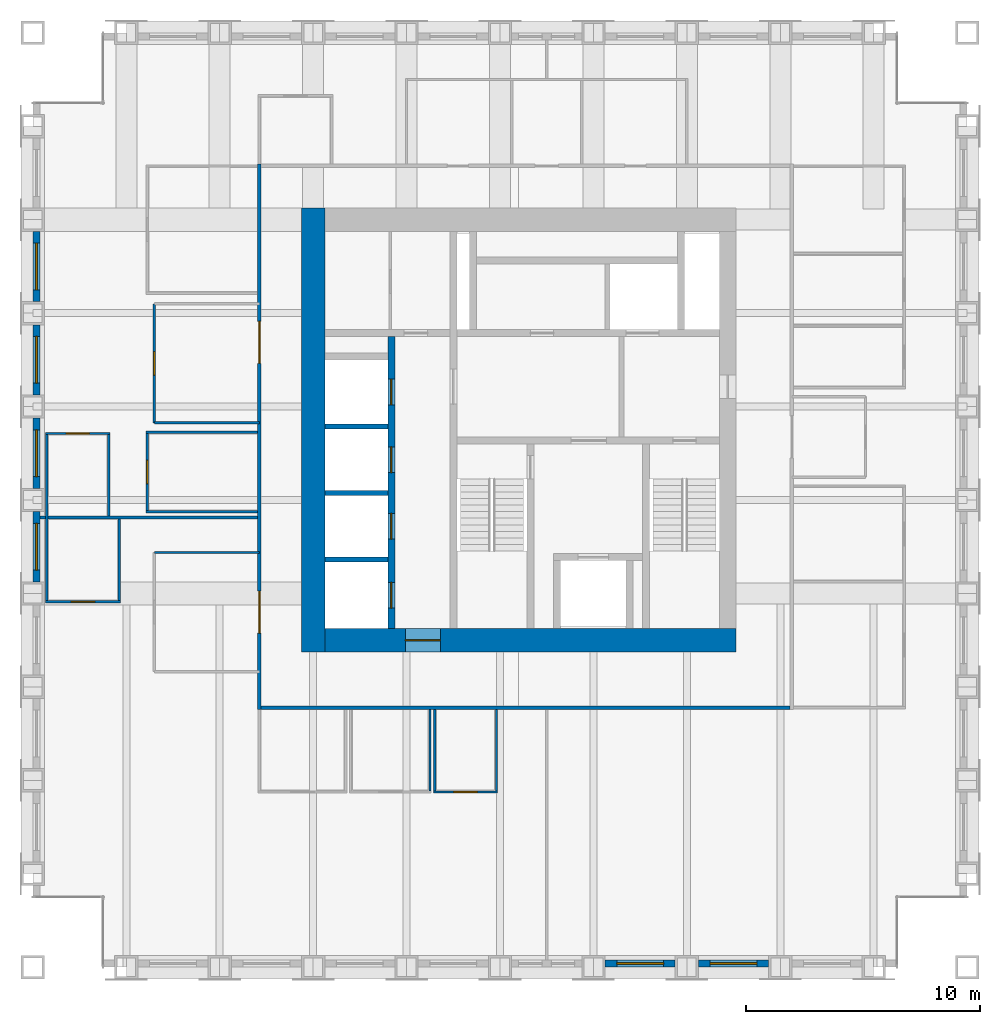
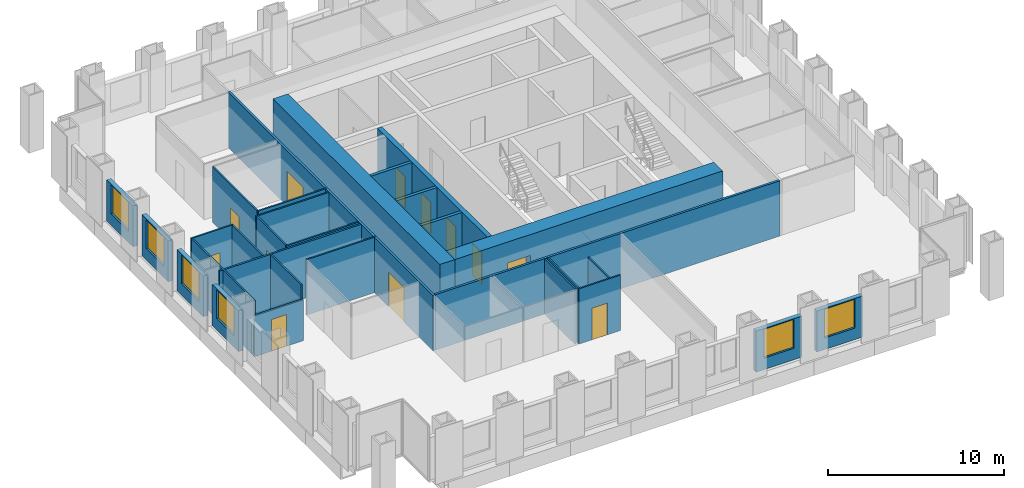
# One storey, part 8 of 13: 30 walls, 12 doors, 6 windows, 18 openings.
"""IFC4 building model written with IfcOpenShell, lengths in metres."""

from ifc_helpers import new_model, si_unit, direction, frame, frame_2d, origin, place, context, subcontext, project, spatial, rectangle, extrude, material, layer, layer_set, type_object, element, fill, save


model = new_model("IFC4")

# Units and contexts
model_context = context("Model", 3, precision=1e-05, world=origin(), true_north=direction((0.0, 1.0)))
body_context = subcontext(model_context, "Body", "Model", "MODEL_VIEW")
ifc_project = project(units=[si_unit("LENGTHUNIT", "METRE"), si_unit("AREAUNIT", "SQUARE_METRE"), si_unit("VOLUMEUNIT", "CUBIC_METRE"), si_unit("PLANEANGLEUNIT", "RADIAN"), si_unit("MASSUNIT", "GRAM", prefix="KILO")], contexts=[model_context])

# Site, building, storey
site_placement = place(None, origin())
site = spatial("IfcSite", under=ifc_project, at=site_placement, CompositionType="ELEMENT")
building_placement = place(site_placement, origin())
building = spatial("IfcBuilding", under=site, at=building_placement, Name="Rimbunsela Tower", CompositionType="ELEMENT")
storey_placement = place(building_placement, frame((0.0, 0.0, 294.199951171875)))
storey = spatial("IfcBuildingStorey", under=building, at=storey_placement, Name="L71", CompositionType="ELEMENT", Elevation=294.199951171875)

# Wall, openings, doors
ifc_material_1 = material(Name="Concrete fc' 80 MPa", Category="concrete")
ifc_layer_1 = layer(ifc_material_1, 0.300048828125)
ifc_layer_set_1 = layer_set([ifc_layer_1], Name="Core internal wall 300")
wall_type_1 = type_object("IfcWallType", Name="Core internal wall 300", PredefinedType="SHEAR", material=ifc_layer_set_1)
wall_1_placement = place(storey_placement, frame((21.35009765625, 18.5, -0.14990234375), z_axis=(0.0, 0.0, 1.0), x_axis=(0.0, 1.0, 0.0)))
wall_1 = element("IfcWall", 1, at=wall_1_placement, inside=storey, type_object=wall_type_1, Name="Lift shaft front west", PredefinedType="SHEAR", context=body_context, shape_type="SweptSolid", body=[
    extrude(rectangle(XDim=12.5, YDim=0.300048828125, at=frame_2d((6.25, 0.0))), origin(), (0.0, 0.0, 1.0), 4.0),
])
opening_1_placement = place(wall_1_placement, frame((0.875, 0.0, 0.14990234375)))
opening_1 = element("IfcOpeningElement", 2, at=opening_1_placement, cuts=wall_1, Name="Opening LD1", PredefinedType="OPENING", context=body_context, shape_type="SweptSolid", body=[
    extrude(rectangle(XDim=1.10009765625, YDim=2.199951171875, at=frame_2d((0.550048828125, 1.10009765625))), frame((0.0, 0.159912109375, 0.0), z_axis=(0.0, -1.0, 0.0), x_axis=(1.0, 0.0, 0.0)), (0.0, 0.0, 1.0), 0.320068359375),
])
opening_2_placement = place(wall_1_placement, frame((3.824951171875, 0.0, 0.14990234375)))
opening_2 = element("IfcOpeningElement", 3, at=opening_2_placement, cuts=wall_1, Name="Opening LD1", PredefinedType="OPENING", context=body_context, shape_type="SweptSolid", body=[
    extrude(rectangle(XDim=1.10009765625, YDim=2.199951171875, at=frame_2d((0.550048828125, 1.10009765625))), frame((0.0, 0.159912109375, 0.0), z_axis=(0.0, -1.0, 0.0), x_axis=(1.0, 0.0, 0.0)), (0.0, 0.0, 1.0), 0.320068359375),
])
opening_3_placement = place(wall_1_placement, frame((6.675048828125, 0.0, 0.14990234375)))
opening_3 = element("IfcOpeningElement", 4, at=opening_3_placement, cuts=wall_1, Name="Opening LD1", PredefinedType="OPENING", context=body_context, shape_type="SweptSolid", body=[
    extrude(rectangle(XDim=1.10009765625, YDim=2.199951171875, at=frame_2d((0.550048828125, 1.10009765625))), frame((0.0, 0.159912109375, 0.0), z_axis=(0.0, -1.0, 0.0), x_axis=(1.0, 0.0, 0.0)), (0.0, 0.0, 1.0), 0.320068359375),
])
opening_4_placement = place(wall_1_placement, frame((9.574951171875, 0.0, 0.14990234375)))
opening_4 = element("IfcOpeningElement", 5, at=opening_4_placement, cuts=wall_1, Name="Opening LD1", PredefinedType="OPENING", context=body_context, shape_type="SweptSolid", body=[
    extrude(rectangle(XDim=1.10009765625, YDim=2.199951171875, at=frame_2d((0.550048828125, 1.10009765625))), frame((0.0, 0.159912109375, 0.0), z_axis=(0.0, -1.0, 0.0), x_axis=(1.0, 0.0, 0.0)), (0.0, 0.0, 1.0), 0.320068359375),
])
ifc_material_2 = material(Name="Steel door, fire rated", Category="steel")
door_type_1 = type_object("IfcDoorType", Name="Lift landing door 1100", OperationType="DOUBLE_DOOR_SLIDING", PredefinedType="DOOR", material=ifc_material_2)
door_1_placement = place(opening_1_placement, origin())
door_1 = element("IfcDoor", 6, at=door_1_placement, inside=storey, type_object=door_type_1, Name="Lift landing door TL1", OperationType="DOUBLE_DOOR_SLIDING", OverallHeight=2.199951171875, OverallWidth=1.10009765625, PredefinedType="DOOR", context=body_context, shape_type="SweptSolid", body=[
    extrude(rectangle(XDim=1.10009765625, YDim=2.199951171875, at=frame_2d((0.550048828125, 1.10009765625))), frame((0.0, 0.02490234375, 0.0), z_axis=(0.0, -1.0, 0.0), x_axis=(1.0, 0.0, 0.0)), (0.0, 0.0, 1.0), 0.050048828125),
])
fill(opening_1, door_1)
door_2_placement = place(opening_2_placement, origin())
door_2 = element("IfcDoor", 7, at=door_2_placement, inside=storey, type_object=door_type_1, Name="Lift landing door TL2", OperationType="DOUBLE_DOOR_SLIDING", OverallHeight=2.199951171875, OverallWidth=1.10009765625, PredefinedType="DOOR", context=body_context, shape_type="SweptSolid", body=[
    extrude(rectangle(XDim=1.10009765625, YDim=2.199951171875, at=frame_2d((0.550048828125, 1.10009765625))), frame((0.0, 0.02490234375, 0.0), z_axis=(0.0, -1.0, 0.0), x_axis=(1.0, 0.0, 0.0)), (0.0, 0.0, 1.0), 0.050048828125),
])
fill(opening_2, door_2)
door_3_placement = place(opening_3_placement, origin())
door_3 = element("IfcDoor", 8, at=door_3_placement, inside=storey, type_object=door_type_1, Name="Lift landing door TL3", OperationType="DOUBLE_DOOR_SLIDING", OverallHeight=2.199951171875, OverallWidth=1.10009765625, PredefinedType="DOOR", context=body_context, shape_type="SweptSolid", body=[
    extrude(rectangle(XDim=1.10009765625, YDim=2.199951171875, at=frame_2d((0.550048828125, 1.10009765625))), frame((0.0, 0.02490234375, 0.0), z_axis=(0.0, -1.0, 0.0), x_axis=(1.0, 0.0, 0.0)), (0.0, 0.0, 1.0), 0.050048828125),
])
fill(opening_3, door_3)
door_4_placement = place(opening_4_placement, origin())
door_4 = element("IfcDoor", 9, at=door_4_placement, inside=storey, type_object=door_type_1, Name="Lift landing door TL4", OperationType="DOUBLE_DOOR_SLIDING", OverallHeight=2.199951171875, OverallWidth=1.10009765625, PredefinedType="DOOR", context=body_context, shape_type="SweptSolid", body=[
    extrude(rectangle(XDim=1.10009765625, YDim=2.199951171875, at=frame_2d((0.550048828125, 1.10009765625))), frame((0.0, 0.02490234375, 0.0), z_axis=(0.0, -1.0, 0.0), x_axis=(1.0, 0.0, 0.0)), (0.0, 0.0, 1.0), 0.050048828125),
])
fill(opening_4, door_4)

# Wall
ifc_material_3 = material(Name="Concrete fc' 80 MPa", Category="concrete")
ifc_layer_2 = layer(ifc_material_3, 1.0)
ifc_layer_set_2 = layer_set([ifc_layer_2], Name="Core wall 1000")
wall_type_2 = type_object("IfcWallType", Name="Core wall 1000", PredefinedType="SHEAR", material=ifc_layer_set_2)
wall_2_placement = place(storey_placement, frame((18.0, 17.5, -0.14990234375), z_axis=(0.0, 0.0, 1.0), x_axis=(0.0, 1.0, 0.0)))
element("IfcWall", 10, at=wall_2_placement, inside=storey, type_object=wall_type_2, Name="Core wall west", PredefinedType="SHEAR", context=body_context, shape_type="SweptSolid", body=[
    extrude(rectangle(XDim=19.0, YDim=1.0, at=frame_2d((9.5, 0.0))), origin(), (0.0, 0.0, 1.0), 4.0),
])

# Wall, opening, door
wall_3_placement = place(storey_placement, frame((18.5, 18.0, -0.14990234375), z_axis=(0.0, 0.0, 1.0), x_axis=(1.0, 0.0, 0.0)))
wall_3 = element("IfcWall", 11, at=wall_3_placement, inside=storey, type_object=wall_type_2, Name="Core wall south", PredefinedType="SHEAR", context=body_context, shape_type="SweptSolid", body=[
    extrude(rectangle(XDim=17.60009765625, YDim=1.0, at=frame_2d((8.800048828125, 0.0))), origin(), (0.0, 0.0, 1.0), 4.0),
])
opening_5_placement = place(wall_3_placement, frame((3.449951171875, 0.0, 0.14990234375)))
opening_5 = element("IfcOpeningElement", 12, at=opening_5_placement, cuts=wall_3, Name="Opening D03", PredefinedType="OPENING", context=body_context, shape_type="SweptSolid", body=[
    extrude(rectangle(XDim=1.5, YDim=2.39990234375, at=frame_2d((0.75, 1.199951171875))), frame((0.0, 0.510009765625, 0.0), z_axis=(0.0, -1.0, 0.0), x_axis=(1.0, 0.0, 0.0)), (0.0, 0.0, 1.0), 1.02001953125),
])
ifc_material_4 = material(Name="Steel door, fire rated", Category="steel")
door_type_2 = type_object("IfcDoorType", Name="Core lobby door 1500", OperationType="DOUBLE_DOOR_DOUBLE_SWING", PredefinedType="DOOR", material=ifc_material_4)
door_5_placement = place(opening_5_placement, origin())
door_5 = element("IfcDoor", 13, at=door_5_placement, inside=storey, type_object=door_type_2, Name="Core door south", OperationType="DOUBLE_DOOR_DOUBLE_SWING", OverallHeight=2.39990234375, OverallWidth=1.5, PredefinedType="DOOR", context=body_context, shape_type="SweptSolid", body=[
    extrude(rectangle(XDim=1.5, YDim=2.39990234375, at=frame_2d((0.75, 1.199951171875))), frame((0.0, 0.02490234375, 0.0), z_axis=(0.0, -1.0, 0.0), x_axis=(1.0, 0.0, 0.0)), (0.0, 0.0, 1.0), 0.050048828125),
])
fill(opening_5, door_5)

# Walls
ifc_material_5 = material(Name="Concrete blockwork", Category="masonry")
ifc_layer_3 = layer(ifc_material_5, 0.199951171875)
ifc_layer_set_3 = layer_set([ifc_layer_3], Name="Lift shaft wall 200")
wall_type_3 = type_object("IfcWallType", Name="Lift shaft wall 200", PredefinedType="SOLIDWALL", material=ifc_layer_set_3)
for number, where, z_axis, x_axis, name in (
    (14, (18.5, 21.449951171875, -0.14990234375), (0.0, 0.0, 1.0), (1.0, 0.0, 0.0), "Lift shaft separation"),
    (15, (18.5, 24.300048828125, -0.14990234375), (0.0, 0.0, 1.0), (1.0, 0.0, 0.0), "Lift shaft separation"),
    (16, (18.5, 27.14990234375, -0.14990234375), (0.0, 0.0, 1.0), (1.0, 0.0, 0.0), "Lift shaft separation"),
):
    element("IfcWall", number, at=place(storey_placement, frame(where, z_axis=z_axis, x_axis=x_axis)), inside=storey, type_object=wall_type_3, Name=name, PredefinedType="SOLIDWALL", context=body_context, shape_type="SweptSolid", body=[
        extrude(rectangle(XDim=2.699951171875, YDim=0.199951171875, at=frame_2d((1.35009765625, 0.0))), origin(), (0.0, 0.0, 1.0), 4.0),
    ])

# Wall, opening, door
ifc_material_6 = material(Name="Gypsum board on steel studs", Category="steel")
ifc_layer_4 = layer(ifc_material_6, 0.10009765625)
ifc_layer_set_4 = layer_set([ifc_layer_4], Name="Office partition 100")
wall_type_4 = type_object("IfcWallType", Name="Office partition 100", PredefinedType="PARTITIONING", material=ifc_layer_set_4)
wall_4_placement = place(storey_placement, frame((23.14990234375, 11.5, 0.0), z_axis=(0.0, 0.0, 1.0), x_axis=(1.0, 0.0, 0.0)))
wall_4 = element("IfcWall", 17, at=wall_4_placement, inside=storey, type_object=wall_type_4, Name="Office partition", PredefinedType="PARTITIONING", context=body_context, shape_type="SweptSolid", body=[
    extrude(rectangle(XDim=2.75, YDim=0.10009765625, at=frame_2d((1.375, 0.0))), origin(), (0.0, 0.0, 1.0), 3.85009765625),
])
opening_6_placement = place(wall_4_placement, frame((0.875, 0.0, 0.0)))
opening_6 = element("IfcOpeningElement", 18, at=opening_6_placement, cuts=wall_4, Name="Opening D16", PredefinedType="OPENING", context=body_context, shape_type="SweptSolid", body=[
    extrude(rectangle(XDim=1.0, YDim=2.199951171875, at=frame_2d((0.5, 1.10009765625))), frame((0.0, 0.06005859375, 0.0), z_axis=(0.0, -1.0, 0.0), x_axis=(1.0, 0.0, 0.0)), (0.0, 0.0, 1.0), 0.1201171875),
])
ifc_material_7 = material(Name="Timber door", Category="wood")
door_type_3 = type_object("IfcDoorType", Name="Office door 1000", OperationType="SINGLE_SWING_LEFT", PredefinedType="DOOR", material=ifc_material_7)
door_6_placement = place(opening_6_placement, origin())
door_6 = element("IfcDoor", 19, at=door_6_placement, inside=storey, type_object=door_type_3, Name="Office door", OperationType="SINGLE_SWING_LEFT", OverallHeight=2.199951171875, OverallWidth=1.0, PredefinedType="DOOR", context=body_context, shape_type="SweptSolid", body=[
    extrude(rectangle(XDim=1.0, YDim=2.199951171875, at=frame_2d((0.5, 1.10009765625))), frame((0.0, 0.02490234375, 0.0), z_axis=(0.0, -1.0, 0.0), x_axis=(1.0, 0.0, 0.0)), (0.0, 0.0, 1.0), 0.050048828125),
])
fill(opening_6, door_6)

wall_5_placement = place(storey_placement, frame((6.550048828125, 19.64990234375, 0.0), z_axis=(0.0, 0.0, 1.0), x_axis=(1.0, 0.0, 0.0)))
wall_5 = element("IfcWall", 20, at=wall_5_placement, inside=storey, type_object=wall_type_4, Name="Office partition", PredefinedType="PARTITIONING", context=body_context, shape_type="SweptSolid", body=[
    extrude(rectangle(XDim=3.199951171875, YDim=0.10009765625, at=frame_2d((1.60009765625, 0.0))), origin(), (0.0, 0.0, 1.0), 2.85009765625),
])
opening_7_placement = place(wall_5_placement, frame((1.10009765625, 0.0, 0.0)))
opening_7 = element("IfcOpeningElement", 21, at=opening_7_placement, cuts=wall_5, Name="Opening D16", PredefinedType="OPENING", context=body_context, shape_type="SweptSolid", body=[
    extrude(rectangle(XDim=1.0, YDim=2.199951171875, at=frame_2d((0.5, 1.10009765625))), frame((0.0, 0.06005859375, 0.0), z_axis=(0.0, -1.0, 0.0), x_axis=(1.0, 0.0, 0.0)), (0.0, 0.0, 1.0), 0.1201171875),
])
door_7_placement = place(opening_7_placement, origin())
door_7 = element("IfcDoor", 22, at=door_7_placement, inside=storey, type_object=door_type_3, Name="Office door", OperationType="SINGLE_SWING_LEFT", OverallHeight=2.199951171875, OverallWidth=1.0, PredefinedType="DOOR", context=body_context, shape_type="SweptSolid", body=[
    extrude(rectangle(XDim=1.0, YDim=2.199951171875, at=frame_2d((0.5, 1.10009765625))), frame((0.0, 0.02490234375, 0.0), z_axis=(0.0, -1.0, 0.0), x_axis=(1.0, 0.0, 0.0)), (0.0, 0.0, 1.0), 0.050048828125),
])
fill(opening_7, door_7)

# Wall
wall_6_placement = place(storey_placement, frame((10.85009765625, 23.5, 0.0), z_axis=(0.0, 0.0, 1.0), x_axis=(1.0, 0.0, 0.0)))
element("IfcWall", 23, at=wall_6_placement, inside=storey, type_object=wall_type_4, Name="Office partition", PredefinedType="PARTITIONING", context=body_context, shape_type="SweptSolid", body=[
    extrude(rectangle(XDim=4.77490234375, YDim=0.10009765625, at=frame_2d((2.387451171875, 0.0))), origin(), (0.0, 0.0, 1.0), 3.85009765625),
])

# Wall, opening, door
wall_7_placement = place(storey_placement, frame((6.550048828125, 26.85009765625, 0.0), z_axis=(0.0, 0.0, 1.0), x_axis=(1.0, 0.0, 0.0)))
wall_7 = element("IfcWall", 24, at=wall_7_placement, inside=storey, type_object=wall_type_4, Name="Office partition", PredefinedType="PARTITIONING", context=body_context, shape_type="SweptSolid", body=[
    extrude(rectangle(XDim=2.75, YDim=0.10009765625, at=frame_2d((1.375, 0.0))), origin(), (0.0, 0.0, 1.0), 3.85009765625),
])
opening_8_placement = place(wall_7_placement, frame((0.875, 0.0, 0.0)))
opening_8 = element("IfcOpeningElement", 25, at=opening_8_placement, cuts=wall_7, Name="Opening D16", PredefinedType="OPENING", context=body_context, shape_type="SweptSolid", body=[
    extrude(rectangle(XDim=1.0, YDim=2.199951171875, at=frame_2d((0.5, 1.10009765625))), frame((0.0, 0.06005859375, 0.0), z_axis=(0.0, -1.0, 0.0), x_axis=(1.0, 0.0, 0.0)), (0.0, 0.0, 1.0), 0.1201171875),
])
door_8_placement = place(opening_8_placement, origin())
door_8 = element("IfcDoor", 26, at=door_8_placement, inside=storey, type_object=door_type_3, Name="Office door", OperationType="SINGLE_SWING_LEFT", OverallHeight=2.199951171875, OverallWidth=1.0, PredefinedType="DOOR", context=body_context, shape_type="SweptSolid", body=[
    extrude(rectangle(XDim=1.0, YDim=2.199951171875, at=frame_2d((0.5, 1.10009765625))), frame((0.0, 0.02490234375, 0.0), z_axis=(0.0, -1.0, 0.0), x_axis=(1.0, 0.0, 0.0)), (0.0, 0.0, 1.0), 0.050048828125),
])
fill(opening_8, door_8)

# Walls
wall_8_placement = place(storey_placement, frame((10.85009765625, 26.89990234375, 0.0), z_axis=(0.0, 0.0, 1.0), x_axis=(1.0, 0.0, 0.0)))
element("IfcWall", 27, at=wall_8_placement, inside=storey, type_object=wall_type_4, Name="Office partition", PredefinedType="PARTITIONING", context=body_context, shape_type="SweptSolid", body=[
    extrude(rectangle(XDim=4.77490234375, YDim=0.10009765625, at=frame_2d((2.387451171875, 0.0))), origin(), (0.0, 0.0, 1.0), 3.85009765625),
])
wall_9_placement = place(storey_placement, frame((6.60009765625, 19.699951171875, 0.0), z_axis=(0.0, 0.0, 1.0), x_axis=(0.0, 1.0, 0.0)))
element("IfcWall", 28, at=wall_9_placement, inside=storey, type_object=wall_type_4, Name="Office partition", PredefinedType="PARTITIONING", context=body_context, shape_type="SweptSolid", body=[
    extrude(rectangle(XDim=7.10009765625, YDim=0.10009765625, at=frame_2d((3.550048828125, 0.0))), origin(), (0.0, 0.0, 1.0), 3.85009765625),
])
for number, where, z_axis, x_axis, name in (
    (29, (9.25, 23.31005859375, 0.0), (0.0, 0.0, 1.0), (0.0, 1.0, 0.0), "Office partition"),
    (30, (9.699951171875, 19.699951171875, 0.0), (0.0, 0.0, 1.0), (0.0, 1.0, 0.0), "Office partition"),
):
    element("IfcWall", number, at=place(storey_placement, frame(where, z_axis=z_axis, x_axis=x_axis)), inside=storey, type_object=wall_type_4, Name=name, PredefinedType="PARTITIONING", context=body_context, shape_type="SweptSolid", body=[
        extrude(rectangle(XDim=3.489990234375, YDim=0.10009765625, at=frame_2d((1.7451171875, 0.0))), origin(), (0.0, 0.0, 1.0), 3.85009765625),
    ])

# Wall, opening, door
wall_10_placement = place(storey_placement, frame((10.89990234375, 23.550048828125, 0.0), z_axis=(0.0, 0.0, 1.0), x_axis=(0.0, 1.0, 0.0)))
wall_10 = element("IfcWall", 31, at=wall_10_placement, inside=storey, type_object=wall_type_4, Name="Office partition", PredefinedType="PARTITIONING", context=body_context, shape_type="SweptSolid", body=[
    extrude(rectangle(XDim=3.300048828125, YDim=0.10009765625, at=frame_2d((1.64990234375, 0.0))), origin(), (0.0, 0.0, 1.0), 3.85009765625),
])
opening_9_placement = place(wall_10_placement, frame((1.14990234375, 0.0, 0.0)))
opening_9 = element("IfcOpeningElement", 32, at=opening_9_placement, cuts=wall_10, Name="Opening D16", PredefinedType="OPENING", context=body_context, shape_type="SweptSolid", body=[
    extrude(rectangle(XDim=1.0, YDim=2.199951171875, at=frame_2d((0.5, 1.10009765625))), frame((0.0, 0.06005859375, 0.0), z_axis=(0.0, -1.0, 0.0), x_axis=(1.0, 0.0, 0.0)), (0.0, 0.0, 1.0), 0.1201171875),
])
door_9_placement = place(opening_9_placement, origin())
door_9 = element("IfcDoor", 33, at=door_9_placement, inside=storey, type_object=door_type_3, Name="Office door", OperationType="SINGLE_SWING_LEFT", OverallHeight=2.199951171875, OverallWidth=1.0, PredefinedType="DOOR", context=body_context, shape_type="SweptSolid", body=[
    extrude(rectangle(XDim=1.0, YDim=2.199951171875, at=frame_2d((0.5, 1.10009765625))), frame((0.0, 0.02490234375, 0.0), z_axis=(0.0, -1.0, 0.0), x_axis=(1.0, 0.0, 0.0)), (0.0, 0.0, 1.0), 0.050048828125),
])
fill(opening_9, door_9)

# Walls
for number, where, z_axis, x_axis, name in (
    (34, (23.0, 11.550048828125, 0.0), (0.0, 0.0, 1.0), (0.0, 1.0, 0.0), "Office partition"),
    (35, (23.199951171875, 11.550048828125, 0.0), (0.0, 0.0, 1.0), (0.0, 1.0, 0.0), "Office partition"),
):
    element("IfcWall", number, at=place(storey_placement, frame(where, z_axis=z_axis, x_axis=x_axis)), inside=storey, type_object=wall_type_4, Name=name, PredefinedType="PARTITIONING", context=body_context, shape_type="SweptSolid", body=[
        extrude(rectangle(XDim=3.474853515625, YDim=0.10009765625, at=frame_2d((1.7373046875, 0.0))), origin(), (0.0, 0.0, 1.0), 3.85009765625),
    ])
wall_11_placement = place(storey_placement, frame((25.85009765625, 11.550048828125, 0.0), z_axis=(0.0, 0.0, 1.0), x_axis=(0.0, 1.0, 0.0)))
element("IfcWall", 36, at=wall_11_placement, inside=storey, type_object=wall_type_4, Name="Office partition", PredefinedType="PARTITIONING", context=body_context, shape_type="SweptSolid", body=[
    extrude(rectangle(XDim=3.474853515625, YDim=0.10009765625, at=frame_2d((1.7373046875, 0.0))), origin(), (0.0, 0.0, 1.0), 2.949951171875),
])
wall_12_placement = place(storey_placement, frame((15.699951171875, 21.75, 0.0), z_axis=(0.0, 0.0, 1.0), x_axis=(-1.0, 0.0, 0.0)))
element("IfcWall", 37, at=wall_12_placement, inside=storey, type_object=wall_type_4, Name="Office partition", PredefinedType="PARTITIONING", context=body_context, shape_type="SweptSolid", body=[
    extrude(rectangle(XDim=4.5, YDim=0.10009765625, at=frame_2d((2.25, 0.0))), origin(), (0.0, 0.0, 1.0), 3.85009765625),
])

# Wall, opening, door
wall_13_placement = place(storey_placement, frame((11.199951171875, 32.39990234375, 0.0), z_axis=(0.0, 0.0, 1.0), x_axis=(0.0, -1.0, 0.0)))
wall_13 = element("IfcWall", 38, at=wall_13_placement, inside=storey, type_object=wall_type_4, Name="Office partition", PredefinedType="PARTITIONING", context=body_context, shape_type="SweptSolid", body=[
    extrude(rectangle(XDim=5.099853515625, YDim=0.10009765625, at=frame_2d((2.5498046875, 0.0))), origin(), (0.0, 0.0, 1.0), 3.85009765625),
])
opening_10_placement = place(wall_13_placement, frame((2.050048828125, 0.0, 0.0)))
opening_10 = element("IfcOpeningElement", 39, at=opening_10_placement, cuts=wall_13, Name="Opening D17", PredefinedType="OPENING", context=body_context, shape_type="SweptSolid", body=[
    extrude(rectangle(XDim=1.0, YDim=2.199951171875, at=frame_2d((0.5, 1.10009765625))), frame((0.0, 0.06005859375, 0.0), z_axis=(0.0, -1.0, 0.0), x_axis=(1.0, 0.0, 0.0)), (0.0, 0.0, 1.0), 0.1201171875),
])
ifc_material_8 = material(Name="Glazed aluminium door", Category="aluminium")
door_type_4 = type_object("IfcDoorType", Name="Meeting room door 1000 glazed", OperationType="SINGLE_SWING_RIGHT", PredefinedType="DOOR", material=ifc_material_8)
door_10_placement = place(opening_10_placement, origin())
door_10 = element("IfcDoor", 40, at=door_10_placement, inside=storey, type_object=door_type_4, Name="Reception door", OperationType="SINGLE_SWING_RIGHT", OverallHeight=2.199951171875, OverallWidth=1.0, PredefinedType="DOOR", context=body_context, shape_type="SweptSolid", body=[
    extrude(rectangle(XDim=1.0, YDim=2.199951171875, at=frame_2d((0.5, 1.10009765625))), frame((0.0, 0.02490234375, 0.0), z_axis=(0.0, -1.0, 0.0), x_axis=(1.0, 0.0, 0.0)), (0.0, 0.0, 1.0), 0.050048828125),
])
fill(opening_10, door_10)

# Wall
wall_14_placement = place(storey_placement, frame((11.199951171875, 27.300048828125, 0.0), z_axis=(0.0, 0.0, 1.0), x_axis=(1.0, 0.0, 0.0)))
element("IfcWall", 41, at=wall_14_placement, inside=storey, type_object=wall_type_4, Name="Office partition", PredefinedType="PARTITIONING", context=body_context, shape_type="SweptSolid", body=[
    extrude(rectangle(XDim=4.5, YDim=0.10009765625, at=frame_2d((2.25, 0.0))), origin(), (0.0, 0.0, 1.0), 3.85009765625),
])

# Wall, opening, window
ifc_material_9 = material(Name="Precast concrete fc' 35 MPa", Category="concrete")
ifc_layer_5 = layer(ifc_material_9, 0.300048828125)
ifc_layer_set_5 = layer_set([ifc_layer_5], Name="Precast concrete fc' 35 MPa")
wall_type_5 = type_object("IfcWallType", Name="Precast facade panel 300", PredefinedType="ELEMENTEDWALL", material=ifc_layer_set_5)
wall_15_placement = place(storey_placement, frame((30.5, 4.14990234375, 0.0), z_axis=(0.0, 0.0, 1.0), x_axis=(1.0, 0.0, 0.0)))
wall_15 = element("IfcWall", 42, at=wall_15_placement, inside=storey, type_object=wall_type_5, Name="Facade panel S L71", PredefinedType="ELEMENTEDWALL", context=body_context, shape_type="SweptSolid", body=[
    extrude(rectangle(XDim=3.0, YDim=0.300048828125, at=frame_2d((1.5, 0.0))), origin(), (0.0, 0.0, 1.0), 2.85009765625),
])
opening_11_placement = place(wall_15_placement, frame((0.5, 0.0, 0.800048828125)))
opening_11 = element("IfcOpeningElement", 43, at=opening_11_placement, cuts=wall_15, Name="Opening W1", PredefinedType="OPENING", context=body_context, shape_type="SweptSolid", body=[
    extrude(rectangle(XDim=2.0, YDim=2.0, at=frame_2d((1.0, 1.0))), frame((0.0, 0.159912109375, 0.0), z_axis=(0.0, -1.0, 0.0), x_axis=(1.0, 0.0, 0.0)), (0.0, 0.0, 1.0), 0.320068359375),
])
ifc_material_10 = material(Name="Clear glass in aluminium frame", Category="aluminium")
window_type = type_object("IfcWindowType", Name="Window W1 2000x2000", PartitioningType="DOUBLE_PANEL_VERTICAL", PredefinedType="WINDOW", material=ifc_material_10)
window_1_placement = place(opening_11_placement, origin())
window_1 = element("IfcWindow", 44, at=window_1_placement, inside=storey, type_object=window_type, Name="Window L71", OverallHeight=2.0, OverallWidth=2.0, PartitioningType="SINGLE_PANEL", PredefinedType="WINDOW", context=body_context, shape_type="SweptSolid", body=[
    extrude(rectangle(XDim=2.0, YDim=2.0, at=frame_2d((1.0, 1.0))), frame((0.0, 0.030029296875, 0.0), z_axis=(0.0, -1.0, 0.0), x_axis=(1.0, 0.0, 0.0)), (0.0, 0.0, 1.0), 0.06005859375),
])
fill(opening_11, window_1)

wall_16_placement = place(storey_placement, frame((34.5, 4.14990234375, 0.0), z_axis=(0.0, 0.0, 1.0), x_axis=(1.0, 0.0, 0.0)))
wall_16 = element("IfcWall", 45, at=wall_16_placement, inside=storey, type_object=wall_type_5, Name="Facade panel S L71", PredefinedType="ELEMENTEDWALL", context=body_context, shape_type="SweptSolid", body=[
    extrude(rectangle(XDim=3.0, YDim=0.300048828125, at=frame_2d((1.5, 0.0))), origin(), (0.0, 0.0, 1.0), 2.85009765625),
])
opening_12_placement = place(wall_16_placement, frame((0.5, 0.0, 0.800048828125)))
opening_12 = element("IfcOpeningElement", 46, at=opening_12_placement, cuts=wall_16, Name="Opening W1", PredefinedType="OPENING", context=body_context, shape_type="SweptSolid", body=[
    extrude(rectangle(XDim=2.0, YDim=2.0, at=frame_2d((1.0, 1.0))), frame((0.0, 0.159912109375, 0.0), z_axis=(0.0, -1.0, 0.0), x_axis=(1.0, 0.0, 0.0)), (0.0, 0.0, 1.0), 0.320068359375),
])
window_2_placement = place(opening_12_placement, origin())
window_2 = element("IfcWindow", 47, at=window_2_placement, inside=storey, type_object=window_type, Name="Window L71", OverallHeight=2.0, OverallWidth=2.0, PartitioningType="SINGLE_PANEL", PredefinedType="WINDOW", context=body_context, shape_type="SweptSolid", body=[
    extrude(rectangle(XDim=2.0, YDim=2.0, at=frame_2d((1.0, 1.0))), frame((0.0, 0.030029296875, 0.0), z_axis=(0.0, -1.0, 0.0), x_axis=(1.0, 0.0, 0.0)), (0.0, 0.0, 1.0), 0.06005859375),
])
fill(opening_12, window_2)

wall_17_placement = place(storey_placement, frame((6.14990234375, 23.5, 0.0), z_axis=(0.0, 0.0, 1.0), x_axis=(0.0, -1.0, 0.0)))
wall_17 = element("IfcWall", 48, at=wall_17_placement, inside=storey, type_object=wall_type_5, Name="Facade panel W L71", PredefinedType="ELEMENTEDWALL", context=body_context, shape_type="SweptSolid", body=[
    extrude(rectangle(XDim=3.0, YDim=0.300048828125, at=frame_2d((1.5, 0.0))), origin(), (0.0, 0.0, 1.0), 2.85009765625),
])
opening_13_placement = place(wall_17_placement, frame((0.5, 0.0, 0.800048828125)))
opening_13 = element("IfcOpeningElement", 49, at=opening_13_placement, cuts=wall_17, Name="Opening W1", PredefinedType="OPENING", context=body_context, shape_type="SweptSolid", body=[
    extrude(rectangle(XDim=2.0, YDim=2.0, at=frame_2d((1.0, 1.0))), frame((0.0, 0.159912109375, 0.0), z_axis=(0.0, -1.0, 0.0), x_axis=(1.0, 0.0, 0.0)), (0.0, 0.0, 1.0), 0.320068359375),
])
window_3_placement = place(opening_13_placement, origin())
window_3 = element("IfcWindow", 50, at=window_3_placement, inside=storey, type_object=window_type, Name="Window L71", OverallHeight=2.0, OverallWidth=2.0, PartitioningType="SINGLE_PANEL", PredefinedType="WINDOW", context=body_context, shape_type="SweptSolid", body=[
    extrude(rectangle(XDim=2.0, YDim=2.0, at=frame_2d((1.0, 1.0))), frame((0.0, 0.030029296875, 0.0), z_axis=(0.0, -1.0, 0.0), x_axis=(1.0, 0.0, 0.0)), (0.0, 0.0, 1.0), 0.06005859375),
])
fill(opening_13, window_3)

wall_18_placement = place(storey_placement, frame((6.14990234375, 27.5, 0.0), z_axis=(0.0, 0.0, 1.0), x_axis=(0.0, -1.0, 0.0)))
wall_18 = element("IfcWall", 51, at=wall_18_placement, inside=storey, type_object=wall_type_5, Name="Facade panel W L71", PredefinedType="ELEMENTEDWALL", context=body_context, shape_type="SweptSolid", body=[
    extrude(rectangle(XDim=3.0, YDim=0.300048828125, at=frame_2d((1.5, 0.0))), origin(), (0.0, 0.0, 1.0), 2.85009765625),
])
opening_14_placement = place(wall_18_placement, frame((0.5, 0.0, 0.800048828125)))
opening_14 = element("IfcOpeningElement", 52, at=opening_14_placement, cuts=wall_18, Name="Opening W1", PredefinedType="OPENING", context=body_context, shape_type="SweptSolid", body=[
    extrude(rectangle(XDim=2.0, YDim=2.0, at=frame_2d((1.0, 1.0))), frame((0.0, 0.159912109375, 0.0), z_axis=(0.0, -1.0, 0.0), x_axis=(1.0, 0.0, 0.0)), (0.0, 0.0, 1.0), 0.320068359375),
])
window_4_placement = place(opening_14_placement, origin())
window_4 = element("IfcWindow", 53, at=window_4_placement, inside=storey, type_object=window_type, Name="Window L71", OverallHeight=2.0, OverallWidth=2.0, PartitioningType="SINGLE_PANEL", PredefinedType="WINDOW", context=body_context, shape_type="SweptSolid", body=[
    extrude(rectangle(XDim=2.0, YDim=2.0, at=frame_2d((1.0, 1.0))), frame((0.0, 0.030029296875, 0.0), z_axis=(0.0, -1.0, 0.0), x_axis=(1.0, 0.0, 0.0)), (0.0, 0.0, 1.0), 0.06005859375),
])
fill(opening_14, window_4)

wall_19_placement = place(storey_placement, frame((6.14990234375, 31.5, 0.0), z_axis=(0.0, 0.0, 1.0), x_axis=(0.0, -1.0, 0.0)))
wall_19 = element("IfcWall", 54, at=wall_19_placement, inside=storey, type_object=wall_type_5, Name="Facade panel W L71", PredefinedType="ELEMENTEDWALL", context=body_context, shape_type="SweptSolid", body=[
    extrude(rectangle(XDim=3.0, YDim=0.300048828125, at=frame_2d((1.5, 0.0))), origin(), (0.0, 0.0, 1.0), 2.85009765625),
])
opening_15_placement = place(wall_19_placement, frame((0.5, 0.0, 0.800048828125)))
opening_15 = element("IfcOpeningElement", 55, at=opening_15_placement, cuts=wall_19, Name="Opening W1", PredefinedType="OPENING", context=body_context, shape_type="SweptSolid", body=[
    extrude(rectangle(XDim=2.0, YDim=2.0, at=frame_2d((1.0, 1.0))), frame((0.0, 0.159912109375, 0.0), z_axis=(0.0, -1.0, 0.0), x_axis=(1.0, 0.0, 0.0)), (0.0, 0.0, 1.0), 0.320068359375),
])
window_5_placement = place(opening_15_placement, origin())
window_5 = element("IfcWindow", 56, at=window_5_placement, inside=storey, type_object=window_type, Name="Window L71", OverallHeight=2.0, OverallWidth=2.0, PartitioningType="SINGLE_PANEL", PredefinedType="WINDOW", context=body_context, shape_type="SweptSolid", body=[
    extrude(rectangle(XDim=2.0, YDim=2.0, at=frame_2d((1.0, 1.0))), frame((0.0, 0.030029296875, 0.0), z_axis=(0.0, -1.0, 0.0), x_axis=(1.0, 0.0, 0.0)), (0.0, 0.0, 1.0), 0.06005859375),
])
fill(opening_15, window_5)

wall_20_placement = place(storey_placement, frame((6.14990234375, 35.5, 0.0), z_axis=(0.0, 0.0, 1.0), x_axis=(0.0, -1.0, 0.0)))
wall_20 = element("IfcWall", 57, at=wall_20_placement, inside=storey, type_object=wall_type_5, Name="Facade panel W L71", PredefinedType="ELEMENTEDWALL", context=body_context, shape_type="SweptSolid", body=[
    extrude(rectangle(XDim=3.0, YDim=0.300048828125, at=frame_2d((1.5, 0.0))), origin(), (0.0, 0.0, 1.0), 2.85009765625),
])
opening_16_placement = place(wall_20_placement, frame((0.5, 0.0, 0.800048828125)))
opening_16 = element("IfcOpeningElement", 58, at=opening_16_placement, cuts=wall_20, Name="Opening W1", PredefinedType="OPENING", context=body_context, shape_type="SweptSolid", body=[
    extrude(rectangle(XDim=2.0, YDim=2.0, at=frame_2d((1.0, 1.0))), frame((0.0, 0.159912109375, 0.0), z_axis=(0.0, -1.0, 0.0), x_axis=(1.0, 0.0, 0.0)), (0.0, 0.0, 1.0), 0.320068359375),
])
window_6_placement = place(opening_16_placement, origin())
window_6 = element("IfcWindow", 59, at=window_6_placement, inside=storey, type_object=window_type, Name="Window L71", OverallHeight=2.0, OverallWidth=2.0, PartitioningType="SINGLE_PANEL", PredefinedType="WINDOW", context=body_context, shape_type="SweptSolid", body=[
    extrude(rectangle(XDim=2.0, YDim=2.0, at=frame_2d((1.0, 1.0))), frame((0.0, 0.030029296875, 0.0), z_axis=(0.0, -1.0, 0.0), x_axis=(1.0, 0.0, 0.0)), (0.0, 0.0, 1.0), 0.06005859375),
])
fill(opening_16, window_6)

# Wall, openings, doors
ifc_material_11 = material(Name="Fire-rated gypsum board on steel studs, EI 60", Category="steel")
ifc_layer_6 = layer(ifc_material_11, 0.14990234375)
ifc_layer_set_6 = layer_set([ifc_layer_6], Name="Rated corridor wall 150")
wall_type_6 = type_object("IfcWallType", Name="Rated corridor wall 150", PredefinedType="PARTITIONING", material=ifc_layer_set_6)
wall_21_placement = place(storey_placement, frame((15.699951171875, 15.02490234375, 0.0), z_axis=(0.0, 0.0, 1.0), x_axis=(0.0, 1.0, 0.0)))
wall_21 = element("IfcWall", 60, at=wall_21_placement, inside=storey, type_object=wall_type_6, Name="Corridor wall west", PredefinedType="PARTITIONING", context=body_context, shape_type="SweptSolid", body=[
    extrude(rectangle(XDim=23.35009765625, YDim=0.14990234375, at=frame_2d((11.675048828125, 0.0))), origin(), (0.0, 0.0, 1.0), 3.85009765625),
])
opening_17_placement = place(wall_21_placement, frame((3.27490234375, 0.0, 0.0)))
opening_17 = element("IfcOpeningElement", 61, at=opening_17_placement, cuts=wall_21, Name="Opening D09", PredefinedType="OPENING", context=body_context, shape_type="SweptSolid", body=[
    extrude(rectangle(XDim=1.800048828125, YDim=2.39990234375, at=frame_2d((0.89990234375, 1.199951171875))), frame((0.0, 0.0849609375, 0.0), z_axis=(0.0, -1.0, 0.0), x_axis=(1.0, 0.0, 0.0)), (0.0, 0.0, 1.0), 0.169921875),
])
opening_18_placement = place(wall_21_placement, frame((14.824951171875, 0.0, 0.0)))
opening_18 = element("IfcOpeningElement", 62, at=opening_18_placement, cuts=wall_21, Name="Opening D09", PredefinedType="OPENING", context=body_context, shape_type="SweptSolid", body=[
    extrude(rectangle(XDim=1.800048828125, YDim=2.39990234375, at=frame_2d((0.89990234375, 1.199951171875))), frame((0.0, 0.0849609375, 0.0), z_axis=(0.0, -1.0, 0.0), x_axis=(1.0, 0.0, 0.0)), (0.0, 0.0, 1.0), 0.169921875),
])
ifc_material_12 = material(Name="Glazed aluminium door, fire rated", Category="aluminium")
door_type_5 = type_object("IfcDoorType", Name="Tenancy door 1800 glazed", OperationType="DOUBLE_DOOR_DOUBLE_SWING", PredefinedType="DOOR", material=ifc_material_12)
door_11_placement = place(opening_17_placement, origin())
door_11 = element("IfcDoor", 63, at=door_11_placement, inside=storey, type_object=door_type_5, Name="Tenancy door", OperationType="DOUBLE_DOOR_DOUBLE_SWING", OverallHeight=2.39990234375, OverallWidth=1.800048828125, PredefinedType="DOOR", context=body_context, shape_type="SweptSolid", body=[
    extrude(rectangle(XDim=1.800048828125, YDim=2.39990234375, at=frame_2d((0.89990234375, 1.199951171875))), frame((0.0, 0.02490234375, 0.0), z_axis=(0.0, -1.0, 0.0), x_axis=(1.0, 0.0, 0.0)), (0.0, 0.0, 1.0), 0.050048828125),
])
fill(opening_17, door_11)
door_12_placement = place(opening_18_placement, origin())
door_12 = element("IfcDoor", 64, at=door_12_placement, inside=storey, type_object=door_type_5, Name="Tenancy door", OperationType="DOUBLE_DOOR_DOUBLE_SWING", OverallHeight=2.39990234375, OverallWidth=1.800048828125, PredefinedType="DOOR", context=body_context, shape_type="SweptSolid", body=[
    extrude(rectangle(XDim=1.800048828125, YDim=2.39990234375, at=frame_2d((0.89990234375, 1.199951171875))), frame((0.0, 0.02490234375, 0.0), z_axis=(0.0, -1.0, 0.0), x_axis=(1.0, 0.0, 0.0)), (0.0, 0.0, 1.0), 0.050048828125),
])
fill(opening_18, door_12)

# Walls
wall_22_placement = place(storey_placement, frame((15.77490234375, 15.10009765625, 0.0), z_axis=(0.0, 0.0, 1.0), x_axis=(1.0, 0.0, 0.0)))
element("IfcWall", 65, at=wall_22_placement, inside=storey, type_object=wall_type_6, Name="Corridor wall south", PredefinedType="PARTITIONING", context=body_context, shape_type="SweptSolid", body=[
    extrude(rectangle(XDim=22.650146484375, YDim=0.14990234375, at=frame_2d((11.3251953125, 0.0))), origin(), (0.0, 0.0, 1.0), 3.85009765625),
])
ifc_material_13 = material(Name="Gypsum board on steel studs", Category="steel")
ifc_layer_7 = layer(ifc_material_13, 0.1201171875)
ifc_layer_set_7 = layer_set([ifc_layer_7], Name="Tenancy partition 120")
wall_type_7 = type_object("IfcWallType", Name="Tenancy partition 120", PredefinedType="PARTITIONING", material=ifc_layer_set_7)
wall_23_placement = place(storey_placement, frame((6.300048828125, 23.25, 0.0), z_axis=(0.0, 0.0, 1.0), x_axis=(1.0, 0.0, 0.0)))
element("IfcWall", 66, at=wall_23_placement, inside=storey, type_object=wall_type_7, Name="Tenancy partition", PredefinedType="PARTITIONING", context=body_context, shape_type="SweptSolid", body=[
    extrude(rectangle(XDim=9.324951171875, YDim=0.1201171875, at=frame_2d((4.66259765625, 0.0))), origin(), (0.0, 0.0, 1.0), 3.85009765625),
])

save(model, "model.ifc")
